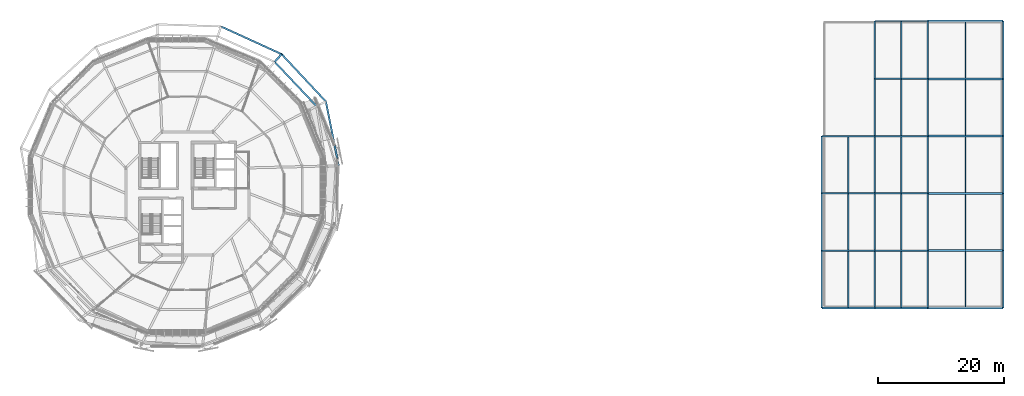
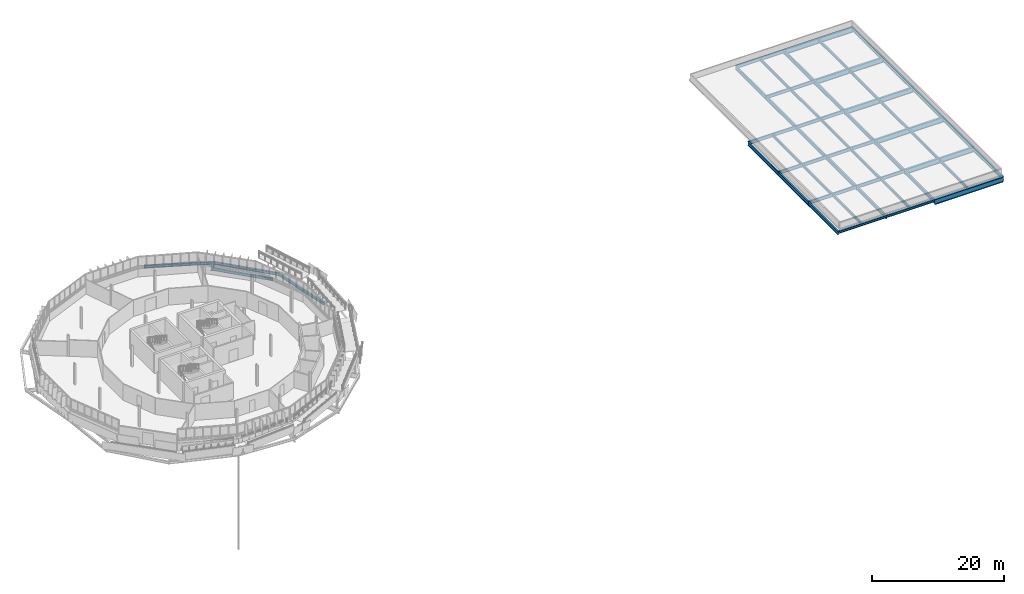
# One storey, part 23 of 38: 52 beams.
"""IFC4 building model written with IfcOpenShell, lengths in metres."""

from ifc_helpers import new_model, si_unit, derived_unit, direction, frame, origin, origin_2d, place, context, subcontext, project, spatial, i_section, extrude, material, material_profile, profile_set, type_object, element, save


model = new_model("IFC4")

# Units and contexts
model_context = context("Model", 3, precision=1e-05, world=origin(), true_north=direction((0.0, 1.0)))
body_context = subcontext(model_context, "Body", "Model", "MODEL_VIEW")
ifc_project = project(units=[si_unit("LENGTHUNIT", "METRE"), si_unit("AREAUNIT", "SQUARE_METRE"), si_unit("VOLUMEUNIT", "CUBIC_METRE"), si_unit("PLANEANGLEUNIT", "RADIAN"), si_unit("MASSUNIT", "GRAM", prefix="KILO"), derived_unit("THERMALTRANSMITTANCEUNIT", [(si_unit("MASSUNIT", "GRAM", prefix="KILO"), 1), (si_unit("TIMEUNIT", "SECOND"), -3), (si_unit("THERMODYNAMICTEMPERATUREUNIT", "KELVIN"), -1)])], contexts=[model_context])

# Site, building, storey
site_placement = place(None, origin())
site = spatial("IfcSite", under=ifc_project, at=site_placement, CompositionType="ELEMENT")
building_placement = place(site_placement, origin())
building = spatial("IfcBuilding", under=site, at=building_placement, Name="Makaiwela Harbour Ferry Terminal", CompositionType="ELEMENT")
storey_placement = place(building_placement, frame((0.0, 0.0, 17.699951171875)))
storey = spatial("IfcBuildingStorey", under=building, at=storey_placement, Name="L04", CompositionType="ELEMENT", Elevation=17.699951171875)

# Beams
ifc_material = material(Name="Steel ASTM A992 Grade 50", Category="steel")
ifc_material_profile_1 = material_profile(ifc_material, i_section(OverallWidth=0.280029296875, OverallDepth=0.462890625, WebThickness=0.0107421875, FlangeThickness=0.017333984375, at=origin_2d()), Name="W18X76")
ifc_profile_set_1 = profile_set([ifc_material_profile_1], Name="Steel ASTM A992 Grade 50")
beam_type_1 = type_object("IfcBeamType", Name="STR-BM-W18X76", PredefinedType="BEAM", material=ifc_profile_set_1)
beam_1_placement = place(storey_placement, frame((58.313720703125, 81.458740234375, -0.486572265625), z_axis=(-0.686996615629, 0.726660615497, 0.0), x_axis=(-0.726660615497, -0.686996615629, 0.0)))
element("IfcBeam", 1, at=beam_1_placement, inside=storey, type_object=beam_type_1, Name="Drum stage2 tie girder 456", PredefinedType="BEAM", context=body_context, shape_type="SweptSolid", body=[
    extrude(i_section(OverallWidth=0.280029296875, OverallDepth=0.462890625, WebThickness=0.0107421875, FlangeThickness=0.017333984375, at=origin_2d()), origin(), (0.0, 0.0, 1.0), 9.68212890625),
])
ifc_material_profile_2 = material_profile(ifc_material, i_section(OverallWidth=0.2099609375, OverallDepth=0.537109375, WebThickness=0.010986328125, FlangeThickness=0.017333984375, at=origin_2d()), Name="W21X68")
ifc_profile_set_2 = profile_set([ifc_material_profile_2], Name="Steel ASTM A992 Grade 50")
beam_type_2 = type_object("IfcBeamType", Name="STR-BM-W21X68", PredefinedType="BEAM", material=ifc_profile_set_2)
beam_2_placement = place(storey_placement, frame((142.800048828125, 49.514404296875, -0.508544921875), z_axis=(0.0, 1.0, 0.0), x_axis=(-1.0, 0.0, 0.0)))
element("IfcBeam", 2, at=beam_2_placement, inside=storey, type_object=beam_type_2, Name="Secondary floor beam 1698", PredefinedType="BEAM", context=body_context, shape_type="SweptSolid", body=[
    extrude(i_section(OverallWidth=0.2099609375, OverallDepth=0.537109375, WebThickness=0.010986328125, FlangeThickness=0.017333984375, at=origin_2d()), origin(), (0.0, 0.0, 1.0), 8.88916015625),
])
for number, where, z_axis, x_axis, name in (
    (3, (142.800048828125, 58.596435546875, -0.508544921875), (0.0, 1.0, 0.0), (-1.0, 0.0, 0.0), "Secondary floor beam 1699"),
    (4, (142.800048828125, 67.696533203125, -0.508544921875), (0.0, 1.0, 0.0), (-1.0, 0.0, 0.0), "Secondary floor beam 1700"),
):
    element("IfcBeam", number, at=place(storey_placement, frame(where, z_axis=z_axis, x_axis=x_axis)), inside=storey, type_object=beam_type_2, Name=name, PredefinedType="BEAM", context=body_context, shape_type="SweptSolid", body=[
        extrude(i_section(OverallWidth=0.2099609375, OverallDepth=0.537109375, WebThickness=0.010986328125, FlangeThickness=0.017333984375, at=origin_2d()), origin(), (0.0, 0.0, 1.0), 8.906982421875),
    ])
beam_3_placement = place(storey_placement, frame((151.199951171875, 49.514404296875, -0.508544921875), z_axis=(0.0, 1.0, 0.0), x_axis=(-1.0, 0.0, 0.0)))
element("IfcBeam", 5, at=beam_3_placement, inside=storey, type_object=beam_type_2, Name="Secondary floor beam 1701", PredefinedType="BEAM", context=body_context, shape_type="SweptSolid", body=[
    extrude(i_section(OverallWidth=0.2099609375, OverallDepth=0.537109375, WebThickness=0.010986328125, FlangeThickness=0.017333984375, at=origin_2d()), origin(), (0.0, 0.0, 1.0), 8.88916015625),
])
for number, where, z_axis, x_axis, name in (
    (6, (151.199951171875, 58.596435546875, -0.508544921875), (0.0, 1.0, 0.0), (-1.0, 0.0, 0.0), "Secondary floor beam 1702"),
    (7, (151.199951171875, 67.696533203125, -0.508544921875), (0.0, 1.0, 0.0), (-1.0, 0.0, 0.0), "Secondary floor beam 1703"),
):
    element("IfcBeam", number, at=place(storey_placement, frame(where, z_axis=z_axis, x_axis=x_axis)), inside=storey, type_object=beam_type_2, Name=name, PredefinedType="BEAM", context=body_context, shape_type="SweptSolid", body=[
        extrude(i_section(OverallWidth=0.2099609375, OverallDepth=0.537109375, WebThickness=0.010986328125, FlangeThickness=0.017333984375, at=origin_2d()), origin(), (0.0, 0.0, 1.0), 8.906982421875),
    ])
beam_4_placement = place(storey_placement, frame((151.199951171875, 76.79638671875, -0.508544921875), z_axis=(0.0, 1.0, 0.0), x_axis=(-1.0, 0.0, 0.0)))
element("IfcBeam", 8, at=beam_4_placement, inside=storey, type_object=beam_type_2, Name="Secondary floor beam 1704", PredefinedType="BEAM", context=body_context, shape_type="SweptSolid", body=[
    extrude(i_section(OverallWidth=0.2099609375, OverallDepth=0.537109375, WebThickness=0.010986328125, FlangeThickness=0.017333984375, at=origin_2d()), origin(), (0.0, 0.0, 1.0), 8.9072265625),
])
beam_5_placement = place(storey_placement, frame((151.199951171875, 85.896484375, -0.508544921875), z_axis=(0.0, 1.0, 0.0), x_axis=(-1.0, 0.0, 0.0)))
element("IfcBeam", 9, at=beam_5_placement, inside=storey, type_object=beam_type_2, Name="Secondary floor beam 1705", PredefinedType="BEAM", context=body_context, shape_type="SweptSolid", body=[
    extrude(i_section(OverallWidth=0.2099609375, OverallDepth=0.537109375, WebThickness=0.010986328125, FlangeThickness=0.017333984375, at=origin_2d()), origin(), (0.0, 0.0, 1.0), 9.007080078125),
])
for number, where, z_axis, x_axis, name in (
    (10, (161.39990234375, 49.537109375, -0.508544921875), (0.0, 1.0, 0.0), (-1.0, 0.0, 0.0), "Secondary floor beam 1706"),
    (11, (161.39990234375, 58.636962890625, -0.508544921875), (0.0, 1.0, 0.0), (-1.0, 0.0, 0.0), "Secondary floor beam 1707"),
    (12, (161.39990234375, 67.737060546875, -0.508544921875), (0.0, 1.0, 0.0), (-1.0, 0.0, 0.0), "Secondary floor beam 1708"),
):
    element("IfcBeam", number, at=place(storey_placement, frame(where, z_axis=z_axis, x_axis=x_axis)), inside=storey, type_object=beam_type_2, Name=name, PredefinedType="BEAM", context=body_context, shape_type="SweptSolid", body=[
        extrude(i_section(OverallWidth=0.2099609375, OverallDepth=0.537109375, WebThickness=0.010986328125, FlangeThickness=0.017333984375, at=origin_2d()), origin(), (0.0, 0.0, 1.0), 8.825927734375),
    ])
beam_6_placement = place(storey_placement, frame((161.39990234375, 76.8369140625, -0.508544921875), z_axis=(0.0, 1.0, 0.0), x_axis=(-1.0, 0.0, 0.0)))
element("IfcBeam", 13, at=beam_6_placement, inside=storey, type_object=beam_type_2, Name="Secondary floor beam 1709", PredefinedType="BEAM", context=body_context, shape_type="SweptSolid", body=[
    extrude(i_section(OverallWidth=0.2099609375, OverallDepth=0.537109375, WebThickness=0.010986328125, FlangeThickness=0.017333984375, at=origin_2d()), origin(), (0.0, 0.0, 1.0), 8.826171875),
])
beam_7_placement = place(storey_placement, frame((161.39990234375, 85.93701171875, -0.508544921875), z_axis=(0.0, 1.0, 0.0), x_axis=(-1.0, 0.0, 0.0)))
element("IfcBeam", 14, at=beam_7_placement, inside=storey, type_object=beam_type_2, Name="Secondary floor beam 1710", PredefinedType="BEAM", context=body_context, shape_type="SweptSolid", body=[
    extrude(i_section(OverallWidth=0.2099609375, OverallDepth=0.537109375, WebThickness=0.010986328125, FlangeThickness=0.017333984375, at=origin_2d()), origin(), (0.0, 0.0, 1.0), 8.926025390625),
])
ifc_material_profile_3 = material_profile(ifc_material, i_section(OverallWidth=0.324951171875, OverallDepth=0.615966796875, WebThickness=0.013916015625, FlangeThickness=0.021484375, at=origin_2d()), Name="W24X117")
ifc_profile_set_3 = profile_set([ifc_material_profile_3], Name="Steel ASTM A992 Grade 50")
beam_type_3 = type_object("IfcBeamType", Name="STR-GRD-W24X117", PredefinedType="USERDEFINED", material=ifc_profile_set_3)
beam_8_placement = place(storey_placement, frame((51.662109375, 88.494384765625, -0.56298828125), z_axis=(0.662037440407, 0.749470764939, 0.0), x_axis=(-0.749470764939, 0.662037440407, 0.0)))
element("IfcBeam", 15, at=beam_8_placement, inside=storey, type_object=beam_type_3, Name="Promenade terrace bracket 407", ObjectType="GIRDER", PredefinedType="USERDEFINED", context=body_context, shape_type="SweptSolid", body=[
    extrude(i_section(OverallWidth=0.324951171875, OverallDepth=0.615966796875, WebThickness=0.013916015625, FlangeThickness=0.021484375, at=origin_2d()), origin(), (0.0, 0.0, 1.0), 1.650146484375),
])
ifc_material_profile_4 = material_profile(ifc_material, i_section(OverallWidth=0.22900390625, OverallDepth=0.612060546875, WebThickness=0.011962890625, FlangeThickness=0.01953125, at=origin_2d()), Name="W24X84")
ifc_profile_set_4 = profile_set([ifc_material_profile_4], Name="Steel ASTM A992 Grade 50")
beam_type_4 = type_object("IfcBeamType", Name="STR-GRD-W24X84", PredefinedType="USERDEFINED", material=ifc_profile_set_4)
for number, where, z_axis, x_axis, name in (
    (16, (138.60009765625, 58.5, -0.5458984375), (1.0, 0.0, 0.0), (0.0, 1.0, 0.0), "Primary X girder 1667"),
    (17, (147.0, 58.5, -0.5458984375), (1.0, 0.0, 0.0), (0.0, 1.0, 0.0), "Primary X girder 1668"),
    (18, (138.60009765625, 67.60009765625, -0.5458984375), (1.0, 0.0, 0.0), (0.0, 1.0, 0.0), "Primary X girder 1670"),
    (19, (147.0, 67.60009765625, -0.5458984375), (1.0, 0.0, 0.0), (0.0, 1.0, 0.0), "Primary X girder 1671"),
    (20, (138.60009765625, 76.699951171875, -0.5458984375), (1.0, 0.0, 0.0), (0.0, 1.0, 0.0), "Primary X girder 1673"),
    (21, (147.0, 76.699951171875, -0.5458984375), (1.0, 0.0, 0.0), (0.0, 1.0, 0.0), "Primary X girder 1674"),
    (22, (147.0, 85.800048828125, -0.5458984375), (1.0, 0.0, 0.0), (0.0, 1.0, 0.0), "Primary X girder 1676"),
    (23, (147.0, 95.0, -0.5458984375), (1.0, 0.0, 0.0), (0.0, 1.0, 0.0), "Primary X girder 1678"),
):
    element("IfcBeam", number, at=place(storey_placement, frame(where, z_axis=z_axis, x_axis=x_axis)), inside=storey, type_object=beam_type_4, Name=name, ObjectType="GIRDER", PredefinedType="USERDEFINED", context=body_context, shape_type="SweptSolid", body=[
        extrude(i_section(OverallWidth=0.22900390625, OverallDepth=0.612060546875, WebThickness=0.011962890625, FlangeThickness=0.01953125, at=origin_2d()), origin(), (0.0, 0.0, 1.0), 8.39990234375),
    ])
ifc_material_profile_5 = material_profile(ifc_material, i_section(OverallWidth=0.256103515625, OverallDepth=0.693115234375, WebThickness=0.014404296875, FlangeThickness=0.023681640625, at=origin_2d()), Name="W27X114")
ifc_profile_set_5 = profile_set([ifc_material_profile_5], Name="Steel ASTM A992 Grade 50")
beam_type_5 = type_object("IfcBeamType", Name="STR-GRD-W27X114", PredefinedType="USERDEFINED", material=ifc_profile_set_5)
for number, where, z_axis, x_axis, name in (
    (24, (138.60009765625, 49.39990234375, -0.58642578125), (0.0, 1.0, 0.0), (-1.0, 0.0, 0.0), "Primary Y girder 1680"),
    (25, (138.60009765625, 58.5, -0.58642578125), (0.0, 1.0, 0.0), (-1.0, 0.0, 0.0), "Primary Y girder 1681"),
):
    element("IfcBeam", number, at=place(storey_placement, frame(where, z_axis=z_axis, x_axis=x_axis)), inside=storey, type_object=beam_type_5, Name=name, ObjectType="GIRDER", PredefinedType="USERDEFINED", context=body_context, shape_type="SweptSolid", body=[
        extrude(i_section(OverallWidth=0.256103515625, OverallDepth=0.693115234375, WebThickness=0.014404296875, FlangeThickness=0.023681640625, at=origin_2d()), origin(), (0.0, 0.0, 1.0), 9.10009765625),
    ])
beam_9_placement = place(storey_placement, frame((138.60009765625, 67.60009765625, -0.58642578125), z_axis=(0.0, 1.0, 0.0), x_axis=(-1.0, 0.0, 0.0)))
element("IfcBeam", 26, at=beam_9_placement, inside=storey, type_object=beam_type_5, Name="Primary Y girder 1682", ObjectType="GIRDER", PredefinedType="USERDEFINED", context=body_context, shape_type="SweptSolid", body=[
    extrude(i_section(OverallWidth=0.256103515625, OverallDepth=0.693115234375, WebThickness=0.014404296875, FlangeThickness=0.023681640625, at=origin_2d()), origin(), (0.0, 0.0, 1.0), 9.099853515625),
])
for number, where, z_axis, x_axis, name in (
    (27, (147.0, 49.39990234375, -0.58642578125), (0.0, 1.0, 0.0), (-1.0, 0.0, 0.0), "Primary Y girder 1683"),
    (28, (147.0, 58.5, -0.58642578125), (0.0, 1.0, 0.0), (-1.0, 0.0, 0.0), "Primary Y girder 1684"),
):
    element("IfcBeam", number, at=place(storey_placement, frame(where, z_axis=z_axis, x_axis=x_axis)), inside=storey, type_object=beam_type_5, Name=name, ObjectType="GIRDER", PredefinedType="USERDEFINED", context=body_context, shape_type="SweptSolid", body=[
        extrude(i_section(OverallWidth=0.256103515625, OverallDepth=0.693115234375, WebThickness=0.014404296875, FlangeThickness=0.023681640625, at=origin_2d()), origin(), (0.0, 0.0, 1.0), 9.10009765625),
    ])
beam_10_placement = place(storey_placement, frame((147.0, 67.60009765625, -0.58642578125), z_axis=(0.0, 1.0, 0.0), x_axis=(-1.0, 0.0, 0.0)))
element("IfcBeam", 29, at=beam_10_placement, inside=storey, type_object=beam_type_5, Name="Primary Y girder 1685", ObjectType="GIRDER", PredefinedType="USERDEFINED", context=body_context, shape_type="SweptSolid", body=[
    extrude(i_section(OverallWidth=0.256103515625, OverallDepth=0.693115234375, WebThickness=0.014404296875, FlangeThickness=0.023681640625, at=origin_2d()), origin(), (0.0, 0.0, 1.0), 9.099853515625),
])
beam_11_placement = place(storey_placement, frame((147.0, 76.699951171875, -0.58642578125), z_axis=(0.0, 1.0, 0.0), x_axis=(-1.0, 0.0, 0.0)))
element("IfcBeam", 30, at=beam_11_placement, inside=storey, type_object=beam_type_5, Name="Primary Y girder 1686", ObjectType="GIRDER", PredefinedType="USERDEFINED", context=body_context, shape_type="SweptSolid", body=[
    extrude(i_section(OverallWidth=0.256103515625, OverallDepth=0.693115234375, WebThickness=0.014404296875, FlangeThickness=0.023681640625, at=origin_2d()), origin(), (0.0, 0.0, 1.0), 9.10009765625),
])
beam_12_placement = place(storey_placement, frame((147.0, 85.800048828125, -0.58642578125), z_axis=(0.0, 1.0, 0.0), x_axis=(-1.0, 0.0, 0.0)))
element("IfcBeam", 31, at=beam_12_placement, inside=storey, type_object=beam_type_5, Name="Primary Y girder 1687", ObjectType="GIRDER", PredefinedType="USERDEFINED", context=body_context, shape_type="SweptSolid", body=[
    extrude(i_section(OverallWidth=0.256103515625, OverallDepth=0.693115234375, WebThickness=0.014404296875, FlangeThickness=0.023681640625, at=origin_2d()), origin(), (0.0, 0.0, 1.0), 9.199951171875),
])
for number, where, z_axis, x_axis, name in (
    (32, (155.39990234375, 49.39990234375, -0.58642578125), (0.0, 1.0, 0.0), (-1.0, 0.0, 0.0), "Primary Y girder 1688"),
    (33, (155.39990234375, 58.5, -0.58642578125), (0.0, 1.0, 0.0), (-1.0, 0.0, 0.0), "Primary Y girder 1689"),
):
    element("IfcBeam", number, at=place(storey_placement, frame(where, z_axis=z_axis, x_axis=x_axis)), inside=storey, type_object=beam_type_5, Name=name, ObjectType="GIRDER", PredefinedType="USERDEFINED", context=body_context, shape_type="SweptSolid", body=[
        extrude(i_section(OverallWidth=0.256103515625, OverallDepth=0.693115234375, WebThickness=0.014404296875, FlangeThickness=0.023681640625, at=origin_2d()), origin(), (0.0, 0.0, 1.0), 9.10009765625),
    ])
beam_13_placement = place(storey_placement, frame((155.39990234375, 67.60009765625, -0.58642578125), z_axis=(0.0, 1.0, 0.0), x_axis=(-1.0, 0.0, 0.0)))
element("IfcBeam", 34, at=beam_13_placement, inside=storey, type_object=beam_type_5, Name="Primary Y girder 1690", ObjectType="GIRDER", PredefinedType="USERDEFINED", context=body_context, shape_type="SweptSolid", body=[
    extrude(i_section(OverallWidth=0.256103515625, OverallDepth=0.693115234375, WebThickness=0.014404296875, FlangeThickness=0.023681640625, at=origin_2d()), origin(), (0.0, 0.0, 1.0), 9.099853515625),
])
beam_14_placement = place(storey_placement, frame((155.39990234375, 76.699951171875, -0.58642578125), z_axis=(0.0, 1.0, 0.0), x_axis=(-1.0, 0.0, 0.0)))
element("IfcBeam", 35, at=beam_14_placement, inside=storey, type_object=beam_type_5, Name="Primary Y girder 1691", ObjectType="GIRDER", PredefinedType="USERDEFINED", context=body_context, shape_type="SweptSolid", body=[
    extrude(i_section(OverallWidth=0.256103515625, OverallDepth=0.693115234375, WebThickness=0.014404296875, FlangeThickness=0.023681640625, at=origin_2d()), origin(), (0.0, 0.0, 1.0), 9.10009765625),
])
beam_15_placement = place(storey_placement, frame((155.39990234375, 85.800048828125, -0.58642578125), z_axis=(0.0, 1.0, 0.0), x_axis=(-1.0, 0.0, 0.0)))
element("IfcBeam", 36, at=beam_15_placement, inside=storey, type_object=beam_type_5, Name="Primary Y girder 1692", ObjectType="GIRDER", PredefinedType="USERDEFINED", context=body_context, shape_type="SweptSolid", body=[
    extrude(i_section(OverallWidth=0.256103515625, OverallDepth=0.693115234375, WebThickness=0.014404296875, FlangeThickness=0.023681640625, at=origin_2d()), origin(), (0.0, 0.0, 1.0), 9.199951171875),
])
for number, where, z_axis, x_axis, name in (
    (37, (167.39990234375, 49.39990234375, -0.58642578125), (0.0, 1.0, 0.0), (-1.0, 0.0, 0.0), "Primary Y girder 1693"),
    (38, (167.39990234375, 58.5, -0.58642578125), (0.0, 1.0, 0.0), (-1.0, 0.0, 0.0), "Primary Y girder 1694"),
):
    element("IfcBeam", number, at=place(storey_placement, frame(where, z_axis=z_axis, x_axis=x_axis)), inside=storey, type_object=beam_type_5, Name=name, ObjectType="GIRDER", PredefinedType="USERDEFINED", context=body_context, shape_type="SweptSolid", body=[
        extrude(i_section(OverallWidth=0.256103515625, OverallDepth=0.693115234375, WebThickness=0.014404296875, FlangeThickness=0.023681640625, at=origin_2d()), origin(), (0.0, 0.0, 1.0), 9.10009765625),
    ])
beam_16_placement = place(storey_placement, frame((167.39990234375, 67.60009765625, -0.58642578125), z_axis=(0.0, 1.0, 0.0), x_axis=(-1.0, 0.0, 0.0)))
element("IfcBeam", 39, at=beam_16_placement, inside=storey, type_object=beam_type_5, Name="Primary Y girder 1695", ObjectType="GIRDER", PredefinedType="USERDEFINED", context=body_context, shape_type="SweptSolid", body=[
    extrude(i_section(OverallWidth=0.256103515625, OverallDepth=0.693115234375, WebThickness=0.014404296875, FlangeThickness=0.023681640625, at=origin_2d()), origin(), (0.0, 0.0, 1.0), 9.099853515625),
])
beam_17_placement = place(storey_placement, frame((167.39990234375, 76.699951171875, -0.58642578125), z_axis=(0.0, 1.0, 0.0), x_axis=(-1.0, 0.0, 0.0)))
element("IfcBeam", 40, at=beam_17_placement, inside=storey, type_object=beam_type_5, Name="Primary Y girder 1696", ObjectType="GIRDER", PredefinedType="USERDEFINED", context=body_context, shape_type="SweptSolid", body=[
    extrude(i_section(OverallWidth=0.256103515625, OverallDepth=0.693115234375, WebThickness=0.014404296875, FlangeThickness=0.023681640625, at=origin_2d()), origin(), (0.0, 0.0, 1.0), 9.10009765625),
])
beam_18_placement = place(storey_placement, frame((167.39990234375, 85.800048828125, -0.58642578125), z_axis=(0.0, 1.0, 0.0), x_axis=(-1.0, 0.0, 0.0)))
element("IfcBeam", 41, at=beam_18_placement, inside=storey, type_object=beam_type_5, Name="Primary Y girder 1697", ObjectType="GIRDER", PredefinedType="USERDEFINED", context=body_context, shape_type="SweptSolid", body=[
    extrude(i_section(OverallWidth=0.256103515625, OverallDepth=0.693115234375, WebThickness=0.014404296875, FlangeThickness=0.023681640625, at=origin_2d()), origin(), (0.0, 0.0, 1.0), 9.199951171875),
])
ifc_material_profile_6 = material_profile(ifc_material, i_section(OverallWidth=0.31005859375, OverallDepth=0.949951171875, WebThickness=0.0244140625, FlangeThickness=0.0439453125, at=origin_2d()), Name="W36X256")
ifc_profile_set_6 = profile_set([ifc_material_profile_6], Name="Steel ASTM A992 Grade 50")
beam_type_6 = type_object("IfcBeamType", Name="STR-GRD-W36X256", PredefinedType="USERDEFINED", material=ifc_profile_set_6)
for number, where, z_axis, x_axis, name in (
    (42, (155.39990234375, 49.39990234375, -0.71484375), (1.0, 0.0, 0.0), (0.0, 1.0, 0.0), "Primary X girder 1666"),
    (43, (155.39990234375, 58.5, -0.71484375), (1.0, 0.0, 0.0), (0.0, 1.0, 0.0), "Primary X girder 1669"),
    (44, (155.39990234375, 67.60009765625, -0.71484375), (1.0, 0.0, 0.0), (0.0, 1.0, 0.0), "Primary X girder 1672"),
    (45, (155.39990234375, 76.699951171875, -0.71484375), (1.0, 0.0, 0.0), (0.0, 1.0, 0.0), "Primary X girder 1675"),
    (46, (155.39990234375, 85.800048828125, -0.71484375), (1.0, 0.0, 0.0), (0.0, 1.0, 0.0), "Primary X girder 1677"),
    (47, (155.39990234375, 95.0, -0.71484375), (1.0, 0.0, 0.0), (0.0, 1.0, 0.0), "Primary X girder 1679"),
):
    element("IfcBeam", number, at=place(storey_placement, frame(where, z_axis=z_axis, x_axis=x_axis)), inside=storey, type_object=beam_type_6, Name=name, ObjectType="GIRDER", PredefinedType="USERDEFINED", context=body_context, shape_type="SweptSolid", body=[
        extrude(i_section(OverallWidth=0.31005859375, OverallDepth=0.949951171875, WebThickness=0.0244140625, FlangeThickness=0.0439453125, at=origin_2d()), origin(), (0.0, 0.0, 1.0), 12.0),
    ])
ifc_material_profile_7 = material_profile(ifc_material, i_section(OverallWidth=0.264892578125, OverallDepth=0.430908203125, WebThickness=0.014892578125, FlangeThickness=0.02490234375, at=origin_2d()), Name="W16X100")
ifc_profile_set_7 = profile_set([ifc_material_profile_7], Name="Steel ASTM A992 Grade 50")
beam_type_7 = type_object("IfcBeamType", Name="STR-SPN-W16X100", PredefinedType="SPANDREL", material=ifc_profile_set_7)
for number, where, z_axis, x_axis, name in (
    (48, (138.60009765625, 49.39990234375, -0.45556640625), (1.0, 0.0, 0.0), (0.0, 1.0, 0.0), "Primary X girder 1664"),
    (49, (147.0, 49.39990234375, -0.45556640625), (1.0, 0.0, 0.0), (0.0, 1.0, 0.0), "Primary X girder 1665"),
):
    element("IfcBeam", number, at=place(storey_placement, frame(where, z_axis=z_axis, x_axis=x_axis)), inside=storey, type_object=beam_type_7, Name=name, PredefinedType="SPANDREL", context=body_context, shape_type="SweptSolid", body=[
        extrude(i_section(OverallWidth=0.264892578125, OverallDepth=0.430908203125, WebThickness=0.014892578125, FlangeThickness=0.02490234375, at=origin_2d()), origin(), (0.0, 0.0, 1.0), 8.39990234375),
    ])
ifc_material_profile_8 = material_profile(ifc_material, i_section(OverallWidth=0.283935546875, OverallDepth=0.47607421875, WebThickness=0.014892578125, FlangeThickness=0.02392578125, at=origin_2d()), Name="W18X106")
ifc_profile_set_8 = profile_set([ifc_material_profile_8], Name="Steel ASTM A992 Grade 50")
beam_type_8 = type_object("IfcBeamType", Name="STR-SPN-W18X106", PredefinedType="SPANDREL", material=ifc_profile_set_8)
beam_19_placement = place(storey_placement, frame((61.827392578125, 72.0087890625, -0.492919921875), z_axis=(-0.196486216307, 0.980506586822, 0.0), x_axis=(-0.980506586822, -0.196486216307, 0.0)))
element("IfcBeam", 50, at=beam_19_placement, inside=storey, type_object=beam_type_8, Name="Drum perimeter spandrel 480", PredefinedType="SPANDREL", context=body_context, shape_type="SweptSolid", body=[
    extrude(i_section(OverallWidth=0.283935546875, OverallDepth=0.47607421875, WebThickness=0.014892578125, FlangeThickness=0.02392578125, at=origin_2d()), origin(), (0.0, 0.0, 1.0), 10.402587890625),
])
beam_20_placement = place(storey_placement, frame((59.783447265625, 82.20849609375, -0.492919921875), z_axis=(-0.682713564409, 0.730686108375, 0.0), x_axis=(-0.730686108375, -0.682713564409, 0.0)))
element("IfcBeam", 51, at=beam_20_placement, inside=storey, type_object=beam_type_8, Name="Drum perimeter spandrel 481", PredefinedType="SPANDREL", context=body_context, shape_type="SweptSolid", body=[
    extrude(i_section(OverallWidth=0.283935546875, OverallDepth=0.47607421875, WebThickness=0.014892578125, FlangeThickness=0.02392578125, at=origin_2d()), origin(), (0.0, 0.0, 1.0), 10.29541015625),
])
beam_21_placement = place(storey_placement, frame((52.754638671875, 89.731201171875, -0.492919921875), z_axis=(-0.909664708703, 0.415343373296, 0.0), x_axis=(-0.415343373296, -0.909664708703, 0.0)))
element("IfcBeam", 52, at=beam_21_placement, inside=storey, type_object=beam_type_8, Name="Drum perimeter spandrel 482", PredefinedType="SPANDREL", context=body_context, shape_type="SweptSolid", body=[
    extrude(i_section(OverallWidth=0.283935546875, OverallDepth=0.47607421875, WebThickness=0.014892578125, FlangeThickness=0.02392578125, at=origin_2d()), origin(), (0.0, 0.0, 1.0), 10.587646484375),
])

save(model, "model.ifc")
